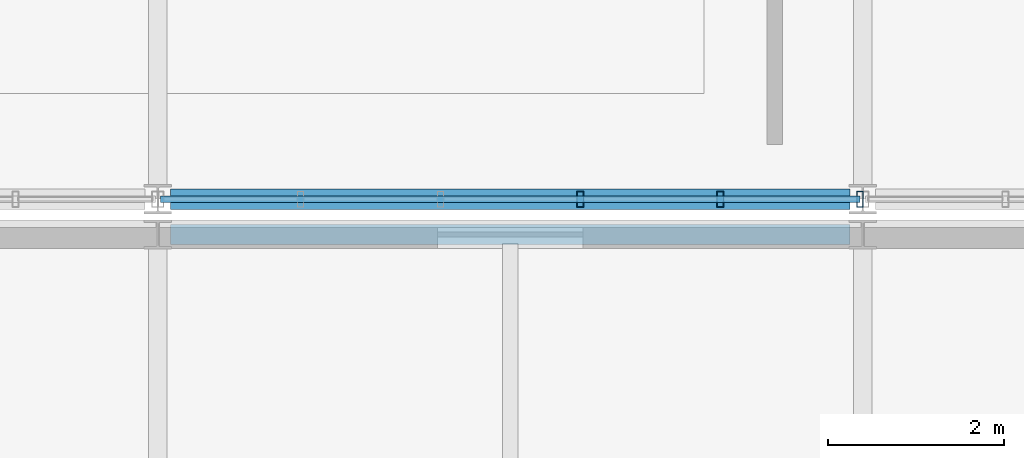
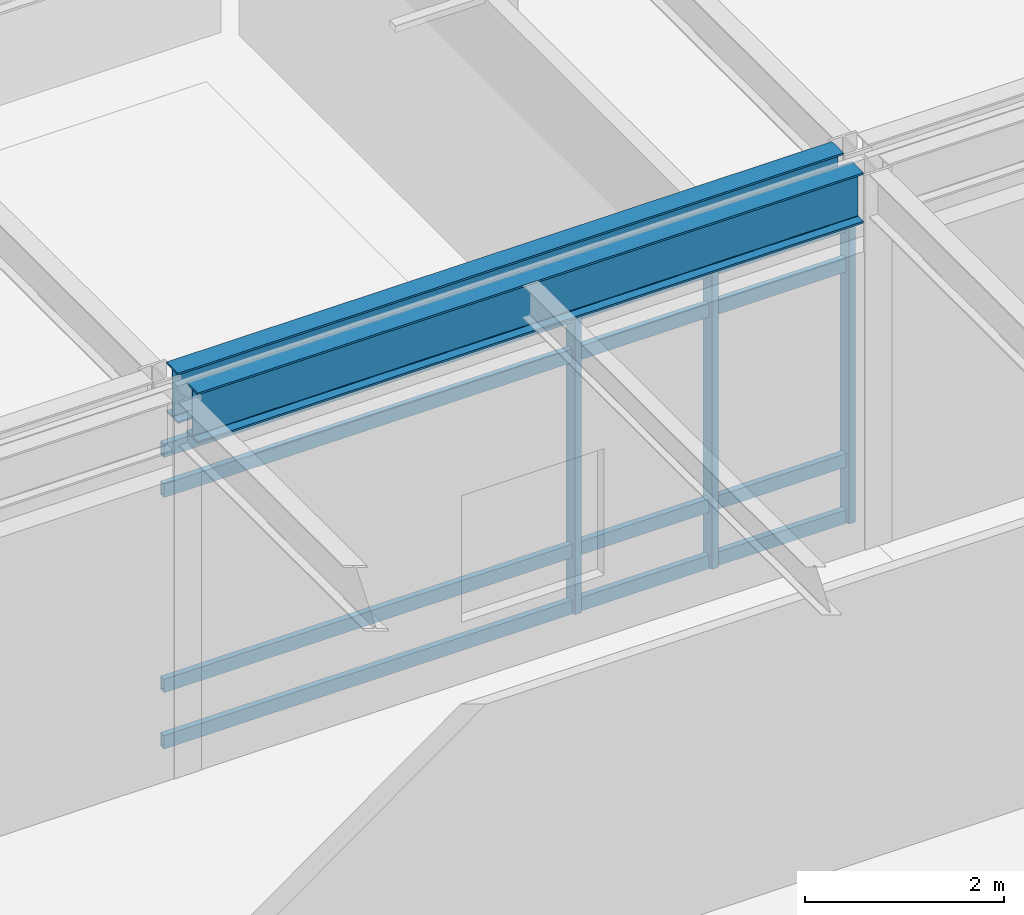
# One storey, part 63 of 104: 7 members, 2 beams, 1 element without a shape of its own.
"""IFC4 building model written with IfcOpenShell, lengths in metres."""

import ifcopenshell
import ifcopenshell.guid

model = None  # the IFC model being written
_history = None  # IfcOwnerHistory: only IFC2X3 demands one
_inside = {}  # id of a spatial element -> (the spatial element, [elements in it])
_under = {}  # id of a project, library or spatial element -> (it, [spatial elements below it])
_declared = {}  # id of a project -> (the project, [libraries it declares])
_typed = {}  # id of a type object -> (the type object, [elements of that type])
_made_of = {}  # id of a material, layer set ... -> (it, [elements and type objects made of it])


def new_model(schema):
    """Start an empty IFC model of exactly this schema.

    Asked for "IFC4X3", IfcOpenShell would pick the latest addendum, in which some entities
    have other attributes; the version numbers below select the first issue.
    IFC2X3 requires an IfcOwnerHistory on every rooted entity: one is made here for all.
    """
    global model, _history
    if schema == "IFC4X3":
        model = ifcopenshell.file(schema_version=(4, 3, 0, 0))
    else:
        model = ifcopenshell.file(schema=schema)
    _inside.clear()
    _under.clear()
    _declared.clear()
    _typed.clear()
    _made_of.clear()
    _history = None
    if model.schema == "IFC2X3":
        org = make("IfcOrganization", Name="unknown")
        user = make(
            "IfcPersonAndOrganization",
            ThePerson=make("IfcPerson", FamilyName="unknown"),
            TheOrganization=org,
        )
        app = make(
            "IfcApplication",
            ApplicationDeveloper=org,
            Version="unknown",
            ApplicationFullName="unknown",
            ApplicationIdentifier="unknown",
        )
        _history = make(
            "IfcOwnerHistory",
            OwningUser=user,
            OwningApplication=app,
            ChangeAction="ADDED",
            CreationDate=0,
        )
    return model


def make(cls, **values):
    """One entity of the class cls with the attributes given. An attribute that is None is left unset."""
    return model.create_entity(
        cls, **{name: value for name, value in values.items() if value is not None}
    )


def rooted(cls, **values):
    """An entity with a GlobalId (a new one), such as an element, a storey or a relation."""
    return make(cls, GlobalId=ifcopenshell.guid.new(), OwnerHistory=_history, **values)


def si_unit(unit_type, name, prefix=None):
    """IfcSIUnit, for example si_unit("LENGTHUNIT", "METRE", prefix="MILLI")."""
    return make("IfcSIUnit", UnitType=unit_type, Prefix=prefix, Name=name)


def assignment(units):
    """IfcUnitAssignment: the units of a project."""
    return None if units is None else make("IfcUnitAssignment", Units=units)


def point(xyz):
    """IfcCartesianPoint."""
    return None if xyz is None else make("IfcCartesianPoint", Coordinates=xyz)


def direction(xyz):
    """IfcDirection."""
    return None if xyz is None else make("IfcDirection", DirectionRatios=xyz)


def frame(location, z_axis=None, x_axis=None):
    """IfcAxis2Placement3D, a coordinate frame: its origin and axes. An axis left out is left unset."""
    return make(
        "IfcAxis2Placement3D",
        Location=point(location),
        Axis=direction(z_axis),
        RefDirection=direction(x_axis),
    )


def frame_2d(location, x_axis=None):
    """IfcAxis2Placement2D, a coordinate frame in the plane: its origin and x axis."""
    return make(
        "IfcAxis2Placement2D", Location=point(location), RefDirection=direction(x_axis)
    )


def origin():
    """The frame at (0, 0, 0) with its axes left unset."""
    return frame((0.0, 0.0, 0.0))


def origin_2d():
    """The frame at (0, 0) in the plane with its x axis left unset."""
    return frame_2d((0.0, 0.0))


def place(relative_to, where):
    """IfcLocalPlacement: puts the frame where relative to a parent placement (None: the world)."""
    return make(
        "IfcLocalPlacement", PlacementRelTo=relative_to, RelativePlacement=where
    )


def context(
    kind, dimensions, precision=None, world=None, true_north=None, identifier=None
):
    """IfcGeometricRepresentationContext, for example the 3D "Model" context."""
    return make(
        "IfcGeometricRepresentationContext",
        ContextIdentifier=identifier,
        ContextType=kind,
        CoordinateSpaceDimension=dimensions,
        Precision=precision,
        WorldCoordinateSystem=world,
        TrueNorth=true_north,
    )


def subcontext(parent, identifier, kind, view, scale=None):
    """IfcGeometricRepresentationSubContext, for example "Body" below "Model"."""
    return make(
        "IfcGeometricRepresentationSubContext",
        ContextIdentifier=identifier,
        ContextType=kind,
        ParentContext=parent,
        TargetScale=scale,
        TargetView=view,
    )


def project(units=None, contexts=None):
    """IfcProject with its units and contexts."""
    return rooted(
        "IfcProject",
        Name="project",
        RepresentationContexts=contexts,
        UnitsInContext=assignment(units),
    )


def spatial(cls, under=None, at=None, **own):
    """A site, building, storey or space (cls), placed at a placement, below another one or the project."""
    s = rooted(cls, ObjectPlacement=at, **own)
    if under is not None:
        _under.setdefault(under.id(), (under, []))[1].append(s)
    return s


def profile(cls, at=None, kind="AREA", **sizes):
    """A parametric profile (cls). Its sizes go by their IFC names, for example OverallWidth=200.0."""
    return make(cls, ProfileType=kind, Position=at, **sizes)


def hollow_rectangle(**sizes):
    """IfcRectangleHollowProfileDef."""
    return profile("IfcRectangleHollowProfileDef", **sizes)


def i_section(**sizes):
    """IfcIShapeProfileDef."""
    return profile("IfcIShapeProfileDef", **sizes)


def extrude(swept, where, along, depth):
    """IfcExtrudedAreaSolid: the profile swept, set in the frame where, extruded along a direction by depth."""
    return make(
        "IfcExtrudedAreaSolid",
        SweptArea=swept,
        Position=where,
        ExtrudedDirection=direction(along),
        Depth=depth,
    )


def shape(context_of_items, identifier, shape_type, items):
    """IfcShapeRepresentation: the items that make up one representation, for example the "Body"."""
    return make(
        "IfcShapeRepresentation",
        ContextOfItems=context_of_items,
        RepresentationIdentifier=identifier,
        RepresentationType=shape_type,
        Items=items,
    )


def material(Name=None, Category=None):
    """IfcMaterial."""
    return make("IfcMaterial", Name=Name, Category=Category)


def material_profile(
    of_material, cross_section, Name=None, Category=None, Priority=None
):
    """IfcMaterialProfile: a cross section and its material."""
    return make(
        "IfcMaterialProfile",
        Name=Name,
        Material=of_material,
        Profile=cross_section,
        Priority=Priority,
        Category=Category,
    )


def profile_set(profiles, Name=None, composite=None):
    """IfcMaterialProfileSet."""
    return make(
        "IfcMaterialProfileSet",
        Name=Name,
        MaterialProfiles=profiles,
        CompositeProfile=composite,
    )


def made_of(thing, what):
    """Note that an element or type object is made of a material, layer set ...; save() writes the relation."""
    if what is not None:
        _made_of.setdefault(what.id(), (what, []))[1].append(thing)
    return thing


def type_object(cls, material=None, **own):
    """A type object (cls), such as IfcWallType, which elements share."""
    return made_of(rooted(cls, **own), material)


def element(
    cls,
    number,
    at=None,
    inside=None,
    cuts=None,
    type_object=None,
    material=None,
    context=None,
    identifier="Body",
    shape_type=None,
    held_by="IfcProductDefinitionShape",
    body=None,
    shapes=None,
    **own,
):
    """One element of the class cls, such as IfcWall. Its Tag is "e" and its number.

    at: its placement. inside: the storey or other place that contains it. cuts: it is an
    opening in that element (IfcRelVoidsElement). A single representation is given by context,
    identifier, shape_type and body (its items); several are given by shapes. held_by: the class
    of the entity that holds the representations. save() writes the other relations.
    """
    e = rooted(cls, Tag="e%d" % number, ObjectPlacement=at, **own)
    if body is not None:
        shapes = [shape(context, identifier, shape_type, body)]
    if shapes is not None:
        e.Representation = make(held_by, Representations=shapes)
    if inside is not None:
        _inside.setdefault(inside.id(), (inside, []))[1].append(e)
    if cuts is not None:
        rooted(
            "IfcRelVoidsElement", RelatingBuildingElement=cuts, RelatedOpeningElement=e
        )
    if type_object is not None:
        _typed.setdefault(type_object.id(), (type_object, []))[1].append(e)
    return made_of(e, material)


def aggregate(whole, parts):
    """IfcRelAggregates: a whole, such as a stair, and the parts it consists of."""
    return rooted("IfcRelAggregates", RelatingObject=whole, RelatedObjects=parts)


def save(model, path):
    """Write the relations noted so far, then the file.

    IfcRelAggregates (storeys below a building ...), IfcRelContainedInSpatialStructure (elements
    in a storey), IfcRelDefinesByType, IfcRelAssociatesMaterial and IfcRelDeclares: one each for
    every whole, place, type object, material and project.
    """
    for whole, parts in _under.values():
        aggregate(whole, parts)
    for where, things in _inside.values():
        rooted(
            "IfcRelContainedInSpatialStructure",
            RelatedElements=things,
            RelatingStructure=where,
        )
    for kind, things in _typed.values():
        rooted("IfcRelDefinesByType", RelatedObjects=things, RelatingType=kind)
    for what, things in _made_of.values():
        rooted("IfcRelAssociatesMaterial", RelatedObjects=things, RelatingMaterial=what)
    for by, libraries in _declared.values():
        rooted("IfcRelDeclares", RelatingContext=by, RelatedDefinitions=libraries)
    model.write(path)


model = new_model("IFC4")

# Units and contexts
model_context = context("Model", 3, precision=1e-05, world=origin(), true_north=direction((0.0, 1.0)))
body_context = subcontext(model_context, "Body", "Model", "MODEL_VIEW")
ifc_project = project(units=[si_unit("LENGTHUNIT", "METRE"), si_unit("AREAUNIT", "SQUARE_METRE"), si_unit("VOLUMEUNIT", "CUBIC_METRE"), si_unit("PLANEANGLEUNIT", "RADIAN"), si_unit("MASSUNIT", "GRAM", prefix="KILO")], contexts=[model_context])

# Site, building, storey
site_placement = place(None, origin())
site = spatial("IfcSite", under=ifc_project, at=site_placement, CompositionType="ELEMENT")
building_placement = place(site_placement, origin())
building = spatial("IfcBuilding", under=site, at=building_placement, Name="Zulena Civic Courthouse", CompositionType="ELEMENT")
storey_placement = place(building_placement, frame((0.0, 0.0, 10.800048828125)))
storey = spatial("IfcBuildingStorey", under=building, at=storey_placement, Name="L02", CompositionType="ELEMENT", Elevation=10.800048828125)

# Curtain wall, members
ifc_material_1 = material(Name="Double-silver low-E laminated solar-control glass", Category="glass")
curtain_wall_type = type_object("IfcCurtainWallType", Name="CW_7940x3690", PredefinedType="USERDEFINED", material=ifc_material_1)
curtain_wall_placement = place(storey_placement, origin())
curtain_wall = element("IfcCurtainWall", 1, at=curtain_wall_placement, inside=storey, type_object=curtain_wall_type, Name="cw:V3:L02:3:3", ObjectType="UNITISED CURTAIN WALL", PredefinedType="USERDEFINED")
ifc_material_2 = material(Name="Bronze anodised thermally broken aluminium AA6063-T6", Category="aluminium")
ifc_material_profile_1 = material_profile(ifc_material_2, hollow_rectangle(XDim=0.074951171875, YDim=0.179931640625, WallThickness=0.0048828125, at=origin_2d()), Name="CWM180X75X5")
ifc_profile_set_1 = profile_set([ifc_material_profile_1], Name="Bronze anodised thermally broken aluminium AA6063-T6")
member_type_1 = type_object("IfcMemberType", Name="CWMullion_180x75", PredefinedType="MULLION", material=ifc_profile_set_1)
member_1_placement = place(storey_placement, frame((147.969970703125, 30.800048828125, 0.0), z_axis=(0.0, 0.0, 1.0), x_axis=(1.0, 0.0, 0.0)))
member_1 = element("IfcMember", 2, at=member_1_placement, type_object=member_type_1, Name="cw:V3:L02:3:3:mull:0", PredefinedType="MULLION", context=body_context, shape_type="SweptSolid", body=[
    extrude(hollow_rectangle(XDim=0.074951171875, YDim=0.179931640625, WallThickness=0.0048828125, at=origin_2d()), origin(), (0.0, 0.0, 1.0), 3.68994140625),
])
member_2_placement = place(storey_placement, frame((146.382080078125, 30.800048828125, 0.0), z_axis=(0.0, 0.0, 1.0), x_axis=(1.0, 0.0, 0.0)))
member_2 = element("IfcMember", 3, at=member_2_placement, type_object=member_type_1, Name="cw:V3:L02:3:3:mull:1", PredefinedType="MULLION", context=body_context, shape_type="SweptSolid", body=[
    extrude(hollow_rectangle(XDim=0.074951171875, YDim=0.179931640625, WallThickness=0.0048828125, at=origin_2d()), origin(), (0.0, 0.0, 1.0), 3.68994140625),
])
member_3_placement = place(storey_placement, frame((144.7939453125, 30.800048828125, 0.0), z_axis=(0.0, 0.0, 1.0), x_axis=(1.0, 0.0, 0.0)))
member_3 = element("IfcMember", 4, at=member_3_placement, type_object=member_type_1, Name="cw:V3:L02:3:3:mull:2", PredefinedType="MULLION", context=body_context, shape_type="SweptSolid", body=[
    extrude(hollow_rectangle(XDim=0.074951171875, YDim=0.179931640625, WallThickness=0.0048828125, at=origin_2d()), origin(), (0.0, 0.0, 1.0), 3.68994140625),
])
ifc_material_profile_2 = material_profile(ifc_material_2, hollow_rectangle(XDim=0.070068359375, YDim=0.1650390625, WallThickness=0.00390625, at=origin_2d()), Name="CWT165X70X4")
ifc_profile_set_2 = profile_set([ifc_material_profile_2], Name="Bronze anodised thermally broken aluminium AA6063-T6")
member_type_2 = type_object("IfcMemberType", Name="CWTransom_165x70", PredefinedType="USERDEFINED", material=ifc_profile_set_2)
member_4_placement = place(storey_placement, frame((147.969970703125, 30.800048828125, 0.06005859375), z_axis=(-1.0, 0.0, 0.0), x_axis=(0.0, -1.0, 0.0)))
member_4 = element("IfcMember", 5, at=member_4_placement, type_object=member_type_2, Name="cw:V3:L02:3:3:tran:0", ObjectType="TRANSOM", PredefinedType="USERDEFINED", context=body_context, shape_type="SweptSolid", body=[
    extrude(hollow_rectangle(XDim=0.070068359375, YDim=0.1650390625, WallThickness=0.00390625, at=origin_2d()), origin(), (0.0, 0.0, 1.0), 7.93994140625),
])
member_5_placement = place(storey_placement, frame((147.969970703125, 30.800048828125, 0.75), z_axis=(-1.0, 0.0, 0.0), x_axis=(0.0, -1.0, 0.0)))
member_5 = element("IfcMember", 6, at=member_5_placement, type_object=member_type_2, Name="cw:V3:L02:3:3:tran:1", ObjectType="TRANSOM", PredefinedType="USERDEFINED", context=body_context, shape_type="SweptSolid", body=[
    extrude(hollow_rectangle(XDim=0.070068359375, YDim=0.1650390625, WallThickness=0.00390625, at=origin_2d()), origin(), (0.0, 0.0, 1.0), 7.93994140625),
])
member_6_placement = place(storey_placement, frame((147.969970703125, 30.800048828125, 3.139892578125), z_axis=(-1.0, 0.0, 0.0), x_axis=(0.0, -1.0, 0.0)))
member_6 = element("IfcMember", 7, at=member_6_placement, type_object=member_type_2, Name="cw:V3:L02:3:3:tran:2", ObjectType="TRANSOM", PredefinedType="USERDEFINED", context=body_context, shape_type="SweptSolid", body=[
    extrude(hollow_rectangle(XDim=0.070068359375, YDim=0.1650390625, WallThickness=0.00390625, at=origin_2d()), origin(), (0.0, 0.0, 1.0), 7.93994140625),
])
member_7_placement = place(storey_placement, frame((147.969970703125, 30.800048828125, 3.6298828125), z_axis=(-1.0, 0.0, 0.0), x_axis=(0.0, -1.0, 0.0)))
member_7 = element("IfcMember", 8, at=member_7_placement, type_object=member_type_2, Name="cw:V3:L02:3:3:tran:3", ObjectType="TRANSOM", PredefinedType="USERDEFINED", context=body_context, shape_type="SweptSolid", body=[
    extrude(hollow_rectangle(XDim=0.070068359375, YDim=0.1650390625, WallThickness=0.00390625, at=origin_2d()), origin(), (0.0, 0.0, 1.0), 7.93994140625),
])
aggregate(curtain_wall, [member_1, member_2, member_3, member_4, member_5, member_6, member_7])

# Beams
ifc_material_3 = material(Name="Steel ASTM A992 Grade 50", Category="steel")
ifc_material_profile_3 = material_profile(ifc_material_3, i_section(OverallWidth=0.22998046875, OverallDepth=0.616943359375, WebThickness=0.01318359375, FlangeThickness=0.022216796875, FilletRadius=0.0126953125, at=origin_2d()), Name="W24X94")
ifc_profile_set_3 = profile_set([ifc_material_profile_3], Name="Steel ASTM A992 Grade 50")
beam_type = type_object("IfcBeamType", Name="Spandrel_W24X94", PredefinedType="SPANDREL", material=ifc_profile_set_3)
for number, where, z_axis, x_axis, name in (
    (9, (140.14501953125, 30.39990234375, 4.281494140625), (1.0, 0.0, 0.0), (0.0, 1.0, 0.0), "beam:X:V1:L02:30.4:140.0_148.0"),
    (10, (140.14501953125, 30.800048828125, 4.281494140625), (1.0, 0.0, 0.0), (0.0, 1.0, 0.0), "beam:X:V3:L02:30.8:140.0_148.0"),
):
    element("IfcBeam", number, at=place(storey_placement, frame(where, z_axis=z_axis, x_axis=x_axis)), inside=storey, type_object=beam_type, Name=name, PredefinedType="SPANDREL", context=body_context, shape_type="SweptSolid", body=[
        extrude(i_section(OverallWidth=0.22998046875, OverallDepth=0.616943359375, WebThickness=0.01318359375, FlangeThickness=0.022216796875, FilletRadius=0.0126953125, at=origin_2d()), origin(), (0.0, 0.0, 1.0), 7.7099609375),
    ])

save(model, "model.ifc")
